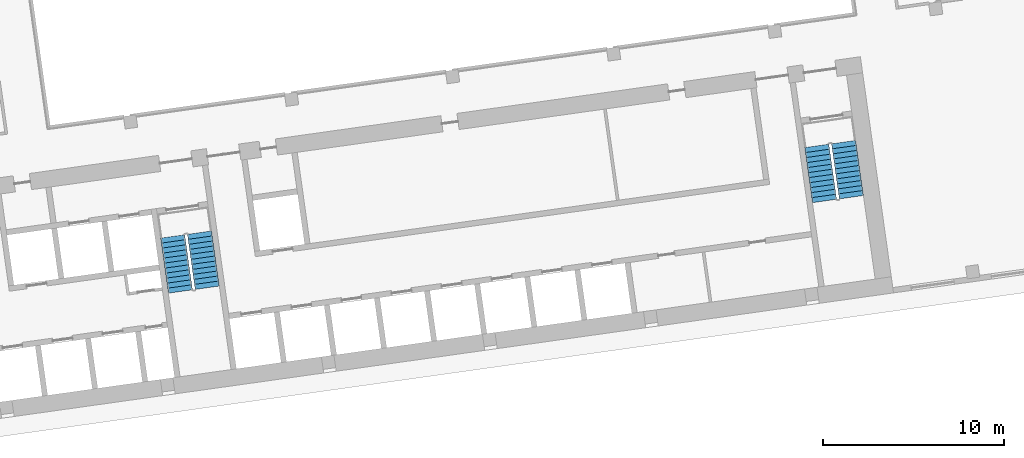
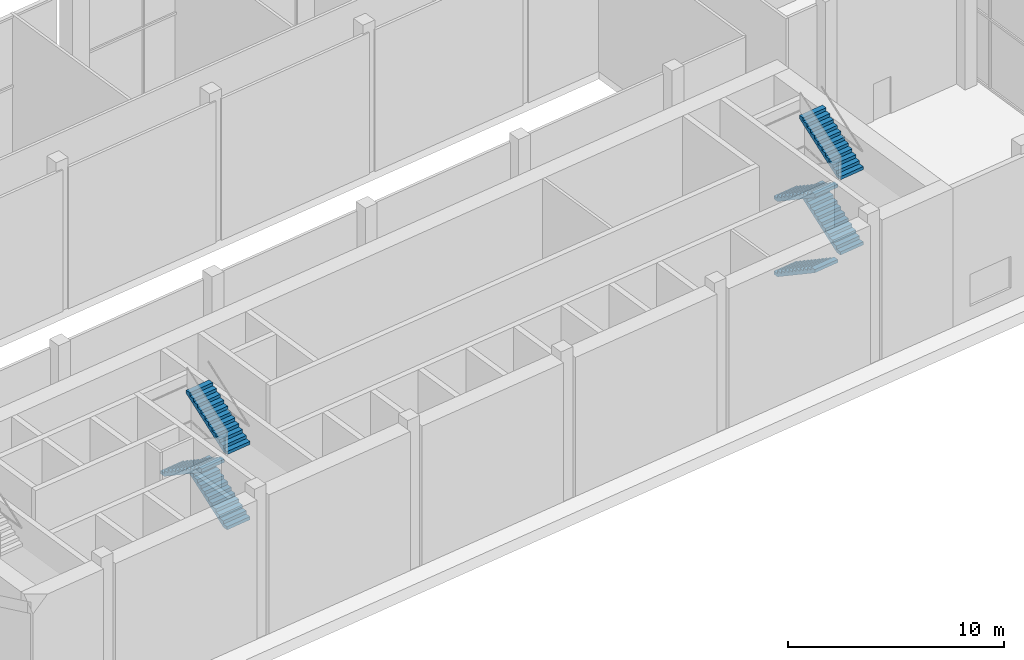
# One storey, part 27 of 31: 7 stair flights, 2 elements without a shape of their own.
"""IFC4 building model written with IfcOpenShell, lengths in metres."""

from ifc_helpers import new_model, si_unit, direction, frame, origin, place, context, subcontext, project, spatial, polyline, outline, extrude, material, type_object, element, aggregate, save


model = new_model("IFC4")

# Units and contexts
model_context = context("Model", 3, precision=1e-05, world=origin(), true_north=direction((0.0, 1.0)))
body_context = subcontext(model_context, "Body", "Model", "MODEL_VIEW")
ifc_project = project(units=[si_unit("LENGTHUNIT", "METRE"), si_unit("AREAUNIT", "SQUARE_METRE"), si_unit("VOLUMEUNIT", "CUBIC_METRE"), si_unit("PLANEANGLEUNIT", "RADIAN"), si_unit("MASSUNIT", "GRAM", prefix="KILO")], contexts=[model_context])

# Site, building, storey
site_placement = place(None, origin())
site = spatial("IfcSite", under=ifc_project, at=site_placement, CompositionType="ELEMENT")
building_placement = place(site_placement, origin())
building = spatial("IfcBuilding", under=site, at=building_placement, Name="Mirante Cascada Hotel Towers", CompositionType="ELEMENT")
storey_placement = place(building_placement, frame((0.0, 0.0, 9.0)))
storey = spatial("IfcBuildingStorey", under=building, at=storey_placement, Name="L01", CompositionType="ELEMENT", Elevation=9.0)

# Stair, stair flights
ifc_material_1 = material(Name="Concrete C35/45", Category="concrete")
stair_type = type_object("IfcStairType", Name="Exit stair half-turn 1350 concrete C35/45", PredefinedType="HALF_TURN_STAIR", material=ifc_material_1)
stair_1_placement = place(storey_placement, origin())
stair_1 = element("IfcStair", 1, at=stair_1_placement, inside=storey, type_object=stair_type, Name="L01 Exit stair B", PredefinedType="HALF_TURN_STAIR")
ifc_material_2 = material(Name="Concrete C35/45", Category="concrete")
stair_flight_type = type_object("IfcStairFlightType", Name="Exit stair flight 1350 concrete C35/45", PredefinedType="STRAIGHT", material=ifc_material_2)
stair_flight_1_placement = place(storey_placement, frame((52.5905, -12.3871, 2.125), z_axis=(0.0, 0.0, 1.0), x_axis=(-0.1391731, 0.9902681, 0.0)))
stair_flight_1 = element("IfcStairFlight", 2, at=stair_flight_1_placement, type_object=stair_flight_type, Name="ST2-B flight 2", NumberOfRisers=12, NumberOfTreads=11, PredefinedType="STRAIGHT", RiserHeight=0.177083333, TreadLength=0.28, context=body_context, shape_type="SweptSolid", body=[
    extrude(outline(polyline([(0.0, 0.0), (0.0, 0.1771), (0.28, 0.1771), (0.28, 0.3542), (0.56, 0.3542), (0.56, 0.5312), (0.84, 0.5312), (0.84, 0.7083), (1.12, 0.7083), (1.12, 0.8854), (1.4, 0.8854), (1.4, 1.0625), (1.68, 1.0625), (1.68, 1.2396), (1.96, 1.2396), (1.96, 1.4167), (2.24, 1.4167), (2.24, 1.5937), (2.52, 1.5937), (2.52, 1.7708), (2.8, 1.7708), (2.8, 1.9479), (3.08, 1.9479), (3.08, 2.125), (3.08, 1.7704), (0.2806, 0.0), (0.0, 0.0)])), frame((0.0, 0.675, 0.0), z_axis=(0.0, -1.0, 0.0), x_axis=(1.0, 0.0, 0.0)), (0.0, 0.0, 1.0), 1.35),
])
stair_flight_2_placement = place(storey_placement, frame((50.6764, -9.5458, 4.25), z_axis=(0.0, 0.0, 1.0), x_axis=(0.1391731, -0.9902681, 0.0)))
stair_flight_2 = element("IfcStairFlight", 3, at=stair_flight_2_placement, type_object=stair_flight_type, Name="ST2-B flight 3", NumberOfRisers=12, NumberOfTreads=11, PredefinedType="STRAIGHT", RiserHeight=0.177083333, TreadLength=0.28, context=body_context, shape_type="SweptSolid", body=[
    extrude(outline(polyline([(0.0, 0.0), (0.0, 0.1771), (0.28, 0.1771), (0.28, 0.3542), (0.56, 0.3542), (0.56, 0.5312), (0.84, 0.5312), (0.84, 0.7083), (1.12, 0.7083), (1.12, 0.8854), (1.4, 0.8854), (1.4, 1.0625), (1.68, 1.0625), (1.68, 1.2396), (1.96, 1.2396), (1.96, 1.4167), (2.24, 1.4167), (2.24, 1.5937), (2.52, 1.5937), (2.52, 1.7708), (2.8, 1.7708), (2.8, 1.9479), (3.08, 1.9479), (3.08, 2.125), (3.08, 1.7704), (0.2806, 0.0), (0.0, 0.0)])), frame((0.0, 0.675, 0.0), z_axis=(0.0, -1.0, 0.0), x_axis=(1.0, 0.0, 0.0)), (0.0, 0.0, 1.0), 1.35),
])
stair_flight_3_placement = place(storey_placement, frame((52.5905, -12.3871, 6.375), z_axis=(0.0, 0.0, 1.0), x_axis=(-0.1391731, 0.9902681, 0.0)))
stair_flight_3 = element("IfcStairFlight", 4, at=stair_flight_3_placement, type_object=stair_flight_type, Name="ST2-B flight 4", NumberOfRisers=12, NumberOfTreads=11, PredefinedType="STRAIGHT", RiserHeight=0.177083333, TreadLength=0.28, context=body_context, shape_type="SweptSolid", body=[
    extrude(outline(polyline([(0.0, 0.0), (0.0, 0.1771), (0.28, 0.1771), (0.28, 0.3542), (0.56, 0.3542), (0.56, 0.5312), (0.84, 0.5312), (0.84, 0.7083), (1.12, 0.7083), (1.12, 0.8854), (1.4, 0.8854), (1.4, 1.0625), (1.68, 1.0625), (1.68, 1.2396), (1.96, 1.2396), (1.96, 1.4167), (2.24, 1.4167), (2.24, 1.5937), (2.52, 1.5937), (2.52, 1.7708), (2.8, 1.7708), (2.8, 1.9479), (3.08, 1.9479), (3.08, 2.125), (3.08, 1.7704), (0.2806, 0.0), (0.0, 0.0)])), frame((0.0, 0.675, 0.0), z_axis=(0.0, -1.0, 0.0), x_axis=(1.0, 0.0, 0.0)), (0.0, 0.0, 1.0), 1.35),
])
aggregate(stair_1, [stair_flight_1, stair_flight_2, stair_flight_3])

stair_2_placement = place(storey_placement, origin())
stair_2 = element("IfcStair", 5, at=stair_2_placement, inside=storey, type_object=stair_type, Name="L01 Exit stair C", PredefinedType="HALF_TURN_STAIR")
stair_flight_4_placement = place(storey_placement, frame((86.326, -4.5356, 0.0), z_axis=(0.0, 0.0, 1.0), x_axis=(0.1391731, -0.9902681, 0.0)))
stair_flight_4 = element("IfcStairFlight", 6, at=stair_flight_4_placement, type_object=stair_flight_type, Name="ST2-C flight 1", NumberOfRisers=12, NumberOfTreads=11, PredefinedType="STRAIGHT", RiserHeight=0.177083333, TreadLength=0.28, context=body_context, shape_type="SweptSolid", body=[
    extrude(outline(polyline([(0.0, 0.0), (0.0, 0.1771), (0.28, 0.1771), (0.28, 0.3542), (0.56, 0.3542), (0.56, 0.5312), (0.84, 0.5312), (0.84, 0.7083), (1.12, 0.7083), (1.12, 0.8854), (1.4, 0.8854), (1.4, 1.0625), (1.68, 1.0625), (1.68, 1.2396), (1.96, 1.2396), (1.96, 1.4167), (2.24, 1.4167), (2.24, 1.5937), (2.52, 1.5937), (2.52, 1.7708), (2.8, 1.7708), (2.8, 1.9479), (3.08, 1.9479), (3.08, 2.125), (3.08, 1.7704), (0.2806, 0.0), (0.0, 0.0)])), frame((0.0, 0.675, 0.0), z_axis=(0.0, -1.0, 0.0), x_axis=(1.0, 0.0, 0.0)), (0.0, 0.0, 1.0), 1.35),
])
stair_flight_5_placement = place(storey_placement, frame((88.2401, -7.3769, 2.125), z_axis=(0.0, 0.0, 1.0), x_axis=(-0.1391731, 0.9902681, 0.0)))
stair_flight_5 = element("IfcStairFlight", 7, at=stair_flight_5_placement, type_object=stair_flight_type, Name="ST2-C flight 2", NumberOfRisers=12, NumberOfTreads=11, PredefinedType="STRAIGHT", RiserHeight=0.177083333, TreadLength=0.28, context=body_context, shape_type="SweptSolid", body=[
    extrude(outline(polyline([(0.0, 0.0), (0.0, 0.1771), (0.28, 0.1771), (0.28, 0.3542), (0.56, 0.3542), (0.56, 0.5312), (0.84, 0.5312), (0.84, 0.7083), (1.12, 0.7083), (1.12, 0.8854), (1.4, 0.8854), (1.4, 1.0625), (1.68, 1.0625), (1.68, 1.2396), (1.96, 1.2396), (1.96, 1.4167), (2.24, 1.4167), (2.24, 1.5937), (2.52, 1.5937), (2.52, 1.7708), (2.8, 1.7708), (2.8, 1.9479), (3.08, 1.9479), (3.08, 2.125), (3.08, 1.7704), (0.2806, 0.0), (0.0, 0.0)])), frame((0.0, 0.675, 0.0), z_axis=(0.0, -1.0, 0.0), x_axis=(1.0, 0.0, 0.0)), (0.0, 0.0, 1.0), 1.35),
])
stair_flight_6_placement = place(storey_placement, frame((86.326, -4.5356, 4.25), z_axis=(0.0, 0.0, 1.0), x_axis=(0.1391731, -0.9902681, 0.0)))
stair_flight_6 = element("IfcStairFlight", 8, at=stair_flight_6_placement, type_object=stair_flight_type, Name="ST2-C flight 3", NumberOfRisers=12, NumberOfTreads=11, PredefinedType="STRAIGHT", RiserHeight=0.177083333, TreadLength=0.28, context=body_context, shape_type="SweptSolid", body=[
    extrude(outline(polyline([(0.0, 0.0), (0.0, 0.1771), (0.28, 0.1771), (0.28, 0.3542), (0.56, 0.3542), (0.56, 0.5312), (0.84, 0.5312), (0.84, 0.7083), (1.12, 0.7083), (1.12, 0.8854), (1.4, 0.8854), (1.4, 1.0625), (1.68, 1.0625), (1.68, 1.2396), (1.96, 1.2396), (1.96, 1.4167), (2.24, 1.4167), (2.24, 1.5937), (2.52, 1.5937), (2.52, 1.7708), (2.8, 1.7708), (2.8, 1.9479), (3.08, 1.9479), (3.08, 2.125), (3.08, 1.7704), (0.2806, 0.0), (0.0, 0.0)])), frame((0.0, 0.675, 0.0), z_axis=(0.0, -1.0, 0.0), x_axis=(1.0, 0.0, 0.0)), (0.0, 0.0, 1.0), 1.35),
])
stair_flight_7_placement = place(storey_placement, frame((88.2401, -7.3769, 6.375), z_axis=(0.0, 0.0, 1.0), x_axis=(-0.1391731, 0.9902681, 0.0)))
stair_flight_7 = element("IfcStairFlight", 9, at=stair_flight_7_placement, type_object=stair_flight_type, Name="ST2-C flight 4", NumberOfRisers=12, NumberOfTreads=11, PredefinedType="STRAIGHT", RiserHeight=0.177083333, TreadLength=0.28, context=body_context, shape_type="SweptSolid", body=[
    extrude(outline(polyline([(0.0, 0.0), (0.0, 0.1771), (0.28, 0.1771), (0.28, 0.3542), (0.56, 0.3542), (0.56, 0.5312), (0.84, 0.5312), (0.84, 0.7083), (1.12, 0.7083), (1.12, 0.8854), (1.4, 0.8854), (1.4, 1.0625), (1.68, 1.0625), (1.68, 1.2396), (1.96, 1.2396), (1.96, 1.4167), (2.24, 1.4167), (2.24, 1.5937), (2.52, 1.5937), (2.52, 1.7708), (2.8, 1.7708), (2.8, 1.9479), (3.08, 1.9479), (3.08, 2.125), (3.08, 1.7704), (0.2806, 0.0), (0.0, 0.0)])), frame((0.0, 0.675, 0.0), z_axis=(0.0, -1.0, 0.0), x_axis=(1.0, 0.0, 0.0)), (0.0, 0.0, 1.0), 1.35),
])
aggregate(stair_2, [stair_flight_4, stair_flight_5, stair_flight_6, stair_flight_7])

save(model, "model.ifc")
